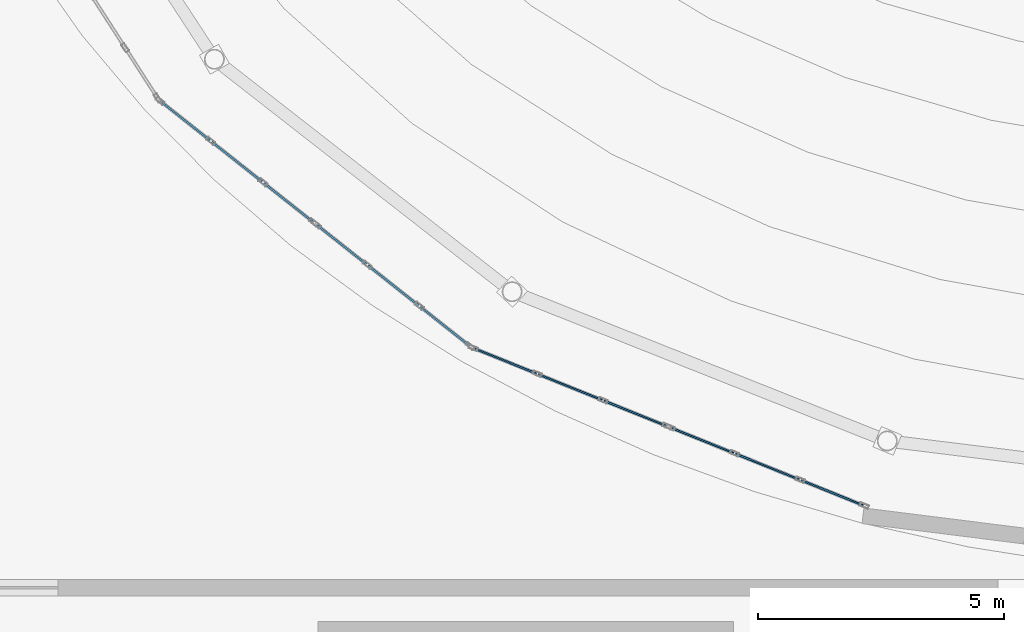
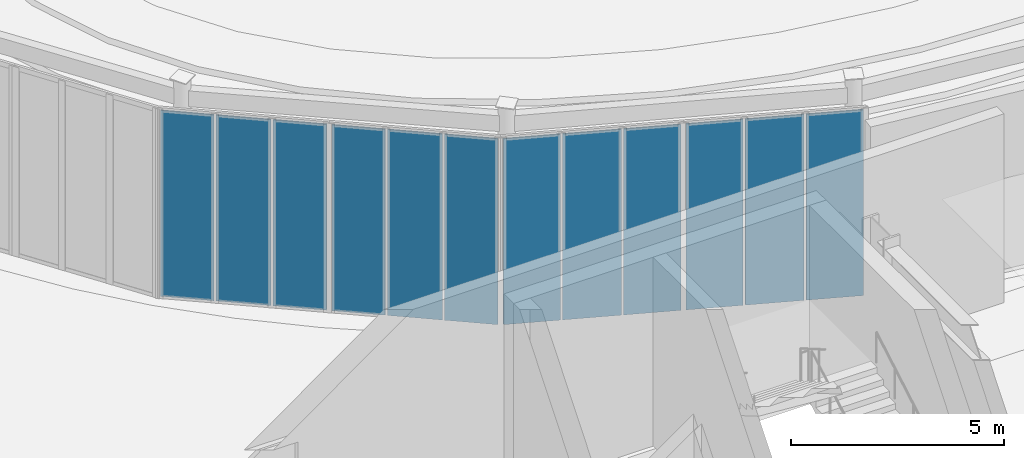
# One storey, part 64 of 94: 12 plates, 4 elements without a shape of their own.
"""IFC4 building model written with IfcOpenShell, lengths in metres."""

from ifc_helpers import new_model, si_unit, direction, frame, origin, origin_2d, place, context, subcontext, project, spatial, rectangle, extrude, material, layer, layer_set, type_object, element, aggregate, save


model = new_model("IFC4")

# Units and contexts
model_context = context("Model", 3, precision=1e-05, world=origin(), true_north=direction((0.0, 1.0)))
body_context = subcontext(model_context, "Body", "Model", "MODEL_VIEW")
ifc_project = project(units=[si_unit("LENGTHUNIT", "METRE"), si_unit("AREAUNIT", "SQUARE_METRE"), si_unit("VOLUMEUNIT", "CUBIC_METRE"), si_unit("PLANEANGLEUNIT", "RADIAN"), si_unit("MASSUNIT", "GRAM", prefix="KILO")], contexts=[model_context])

# Site, building, storey
site_placement = place(None, origin())
site = spatial("IfcSite", under=ifc_project, at=site_placement, CompositionType="ELEMENT")
building_placement = place(site_placement, origin())
building = spatial("IfcBuilding", under=site, at=building_placement, Name="Sollismere Congress Hotel", CompositionType="ELEMENT")
storey_placement = place(building_placement, origin())
storey = spatial("IfcBuildingStorey", under=building, at=storey_placement, Name="L00", CompositionType="ELEMENT", Elevation=0.0)

# Curtain wall, plates
ifc_material_1 = material(Name="Anodized Bronze Curtain Wall & Low-E Triple Glazing", Category="glass")
ifc_layer_1 = layer(ifc_material_1, 0.199951171875, Name="Anodized Bronze Curtain Wall & Low-E Triple Glazing")
ifc_layer_set_1 = layer_set([ifc_layer_1], Name="Anodized Bronze Curtain Wall & Low-E Triple Glazing")
curtain_wall_type = type_object("IfcCurtainWallType", Name="CW-GLZ36", PredefinedType="USERDEFINED", material=ifc_layer_set_1)
curtain_wall_1_placement = place(storey_placement, origin())
curtain_wall_1 = element("IfcCurtainWall", 1, at=curtain_wall_1_placement, inside=storey, type_object=curtain_wall_type, Name="Unitised curtain wall CW-L00-053", ObjectType="UNITISED CURTAIN WALL", PredefinedType="USERDEFINED")
ifc_material_2 = material(Name="Blue-Tinted Solar-Control Low-E Vision Glass", Category="glass")
ifc_layer_2 = layer(ifc_material_2, 0.035888671875, Name="Blue-Tinted Solar-Control Low-E Vision Glass")
ifc_layer_set_2 = layer_set([ifc_layer_2], Name="Blue-Tinted Solar-Control Low-E Vision Glass")
plate_type = type_object("IfcPlateType", Name="PL-CWGLZ", PredefinedType="CURTAIN_PANEL", material=ifc_layer_set_2)
plate_1_placement = place(storey_placement, frame((6.28564453125, 76.5966796875, 0.052978515625), z_axis=(0.0, 0.0, 1.0), x_axis=(0.784181063891, -0.620532077362, 0.0)))
plate_1 = element("IfcPlate", 2, at=plate_1_placement, type_object=plate_type, Name="CWL-CW-L00-053-VP01", PredefinedType="CURTAIN_PANEL", context=body_context, shape_type="SweptSolid", body=[
    extrude(rectangle(XDim=1.2626953125, YDim=0.035888671875, at=origin_2d()), origin(), (0.0, 0.0, 1.0), 5.31396484375),
])
plate_2_placement = place(storey_placement, frame((7.330810546875, 75.769775390625, 0.052978515625), z_axis=(0.0, 0.0, 1.0), x_axis=(0.784181063891, -0.620532077362, 0.0)))
plate_2 = element("IfcPlate", 3, at=plate_2_placement, type_object=plate_type, Name="CWL-CW-L00-053-VP02", PredefinedType="CURTAIN_PANEL", context=body_context, shape_type="SweptSolid", body=[
    extrude(rectangle(XDim=1.30078125, YDim=0.035888671875, at=origin_2d()), origin(), (0.0, 0.0, 1.0), 5.31396484375),
])
plate_3_placement = place(storey_placement, frame((8.376220703125, 74.942626953125, 0.052978515625), z_axis=(0.0, 0.0, 1.0), x_axis=(0.784181063891, -0.620532077362, 0.0)))
plate_3 = element("IfcPlate", 4, at=plate_3_placement, type_object=plate_type, Name="CWL-CW-L00-053-VP03", PredefinedType="CURTAIN_PANEL", context=body_context, shape_type="SweptSolid", body=[
    extrude(rectangle(XDim=1.2626953125, YDim=0.035888671875, at=origin_2d()), origin(), (0.0, 0.0, 1.0), 5.31396484375),
])
aggregate(curtain_wall_1, [plate_1, plate_2, plate_3])

curtain_wall_2_placement = place(storey_placement, origin())
curtain_wall_2 = element("IfcCurtainWall", 5, at=curtain_wall_2_placement, inside=storey, type_object=curtain_wall_type, Name="Unitised curtain wall CW-L00-054", ObjectType="UNITISED CURTAIN WALL", PredefinedType="USERDEFINED")
plate_4_placement = place(storey_placement, frame((9.4658203125, 74.080078125, 0.052978515625), z_axis=(0.0, 0.0, 1.0), x_axis=(0.784181063891, -0.620532077362, 0.0)))
plate_4 = element("IfcPlate", 6, at=plate_4_placement, type_object=plate_type, Name="CWL-CW-L00-054-VP01", PredefinedType="CURTAIN_PANEL", context=body_context, shape_type="SweptSolid", body=[
    extrude(rectangle(XDim=1.2626953125, YDim=0.035888671875, at=origin_2d()), origin(), (0.0, 0.0, 1.0), 5.31396484375),
])
plate_5_placement = place(storey_placement, frame((10.510986328125, 73.253173828125, 0.052978515625), z_axis=(0.0, 0.0, 1.0), x_axis=(0.784181063891, -0.620532077362, 0.0)))
plate_5 = element("IfcPlate", 7, at=plate_5_placement, type_object=plate_type, Name="CWL-CW-L00-054-VP02", PredefinedType="CURTAIN_PANEL", context=body_context, shape_type="SweptSolid", body=[
    extrude(rectangle(XDim=1.30078125, YDim=0.035888671875, at=origin_2d()), origin(), (0.0, 0.0, 1.0), 5.31396484375),
])
plate_6_placement = place(storey_placement, frame((11.556396484375, 72.426025390625, 0.052978515625), z_axis=(0.0, 0.0, 1.0), x_axis=(0.784181063891, -0.620532077362, 0.0)))
plate_6 = element("IfcPlate", 8, at=plate_6_placement, type_object=plate_type, Name="CWL-CW-L00-054-VP03", PredefinedType="CURTAIN_PANEL", context=body_context, shape_type="SweptSolid", body=[
    extrude(rectangle(XDim=1.2626953125, YDim=0.035888671875, at=origin_2d()), origin(), (0.0, 0.0, 1.0), 5.31396484375),
])
aggregate(curtain_wall_2, [plate_4, plate_5, plate_6])

curtain_wall_3_placement = place(storey_placement, origin())
curtain_wall_3 = element("IfcCurtainWall", 9, at=curtain_wall_3_placement, inside=storey, type_object=curtain_wall_type, Name="Unitised curtain wall CW-L00-059", ObjectType="UNITISED CURTAIN WALL", PredefinedType="USERDEFINED")
plate_7_placement = place(storey_placement, frame((12.78662109375, 71.718505859375, 0.052978515625), z_axis=(0.0, 0.0, 1.0), x_axis=(0.927451680013, -0.373943018709, 0.0)))
plate_7 = element("IfcPlate", 10, at=plate_7_placement, type_object=plate_type, Name="CWL-CW-L00-059-VP01", PredefinedType="CURTAIN_PANEL", context=body_context, shape_type="SweptSolid", body=[
    extrude(rectangle(XDim=1.351318359375, YDim=0.035888671875, at=origin_2d()), origin(), (0.0, 0.0, 1.0), 5.31396484375),
])
plate_8_placement = place(storey_placement, frame((14.104736328125, 71.18701171875, 0.052978515625), z_axis=(0.0, 0.0, 1.0), x_axis=(0.927451680013, -0.373943018709, 0.0)))
plate_8 = element("IfcPlate", 11, at=plate_8_placement, type_object=plate_type, Name="CWL-CW-L00-059-VP02", PredefinedType="CURTAIN_PANEL", context=body_context, shape_type="SweptSolid", body=[
    extrude(rectangle(XDim=1.389404296875, YDim=0.035888671875, at=origin_2d()), origin(), (0.0, 0.0, 1.0), 5.31396484375),
])
plate_9_placement = place(storey_placement, frame((15.423095703125, 70.655517578125, 0.052978515625), z_axis=(0.0, 0.0, 1.0), x_axis=(0.927451680013, -0.373943018709, 0.0)))
plate_9 = element("IfcPlate", 12, at=plate_9_placement, type_object=plate_type, Name="CWL-CW-L00-059-VP03", PredefinedType="CURTAIN_PANEL", context=body_context, shape_type="SweptSolid", body=[
    extrude(rectangle(XDim=1.351318359375, YDim=0.035888671875, at=origin_2d()), origin(), (0.0, 0.0, 1.0), 5.31396484375),
])
aggregate(curtain_wall_3, [plate_7, plate_8, plate_9])

curtain_wall_4_placement = place(storey_placement, origin())
curtain_wall_4 = element("IfcCurtainWall", 13, at=curtain_wall_4_placement, inside=storey, type_object=curtain_wall_type, Name="Unitised curtain wall CW-L00-060", ObjectType="UNITISED CURTAIN WALL", PredefinedType="USERDEFINED")
plate_10_placement = place(storey_placement, frame((16.7939453125, 70.102783203125, 0.052978515625), z_axis=(0.0, 0.0, 1.0), x_axis=(0.927451680013, -0.373943018709, 0.0)))
plate_10 = element("IfcPlate", 14, at=plate_10_placement, type_object=plate_type, Name="CWL-CW-L00-060-VP01", PredefinedType="CURTAIN_PANEL", context=body_context, shape_type="SweptSolid", body=[
    extrude(rectangle(XDim=1.351318359375, YDim=0.035888671875, at=origin_2d()), origin(), (0.0, 0.0, 1.0), 5.31396484375),
])
plate_11_placement = place(storey_placement, frame((18.112060546875, 69.5712890625, 0.052978515625), z_axis=(0.0, 0.0, 1.0), x_axis=(0.927451680013, -0.373943018709, 0.0)))
plate_11 = element("IfcPlate", 15, at=plate_11_placement, type_object=plate_type, Name="CWL-CW-L00-060-VP02", PredefinedType="CURTAIN_PANEL", context=body_context, shape_type="SweptSolid", body=[
    extrude(rectangle(XDim=1.389404296875, YDim=0.035888671875, at=origin_2d()), origin(), (0.0, 0.0, 1.0), 5.31396484375),
])
plate_12_placement = place(storey_placement, frame((19.430419921875, 69.039794921875, 0.052978515625), z_axis=(0.0, 0.0, 1.0), x_axis=(0.927451680013, -0.373943018709, 0.0)))
plate_12 = element("IfcPlate", 16, at=plate_12_placement, type_object=plate_type, Name="CWL-CW-L00-060-VP03", PredefinedType="CURTAIN_PANEL", context=body_context, shape_type="SweptSolid", body=[
    extrude(rectangle(XDim=1.351318359375, YDim=0.035888671875, at=origin_2d()), origin(), (0.0, 0.0, 1.0), 5.31396484375),
])
aggregate(curtain_wall_4, [plate_10, plate_11, plate_12])

save(model, "model.ifc")
